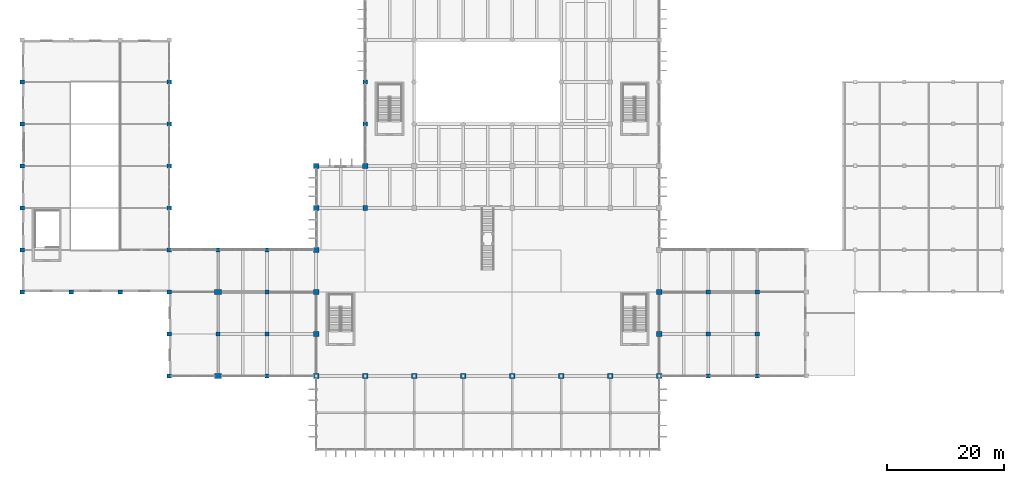
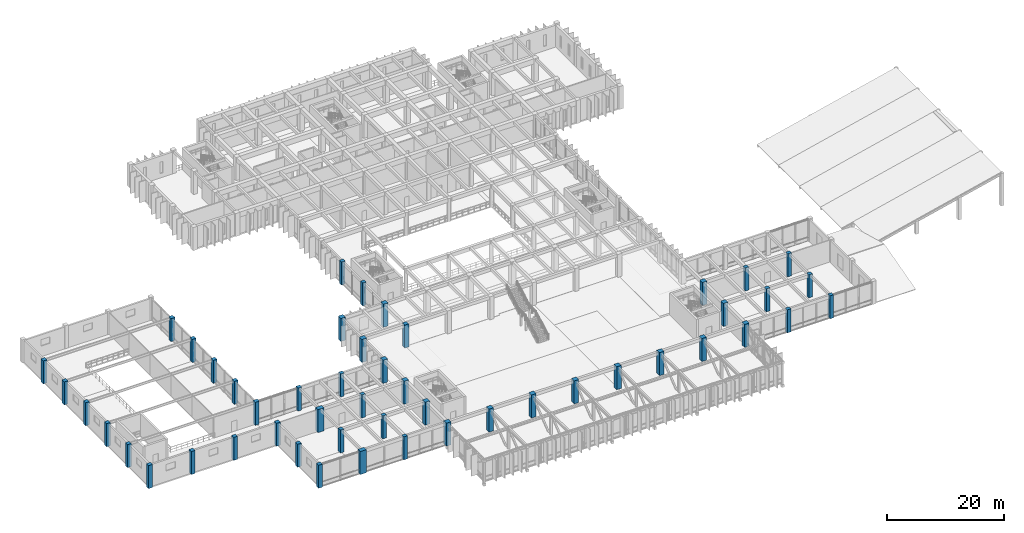
# One storey, part 1 of 51: 49 columns.
"""IFC4 building model written with IfcOpenShell, lengths in metres."""

from ifc_helpers import new_model, si_unit, direction, frame, origin, origin_2d, place, context, subcontext, project, spatial, rectangle, extrude, material, material_profile, profile_set, type_object, element, save


model = new_model("IFC4")

# Units and contexts
model_context = context("Model", 3, precision=1e-05, world=origin(), true_north=direction((0.0, 1.0)))
body_context = subcontext(model_context, "Body", "Model", "MODEL_VIEW")
ifc_project = project(units=[si_unit("LENGTHUNIT", "METRE"), si_unit("AREAUNIT", "SQUARE_METRE"), si_unit("VOLUMEUNIT", "CUBIC_METRE"), si_unit("PLANEANGLEUNIT", "RADIAN"), si_unit("MASSUNIT", "GRAM", prefix="KILO")], contexts=[model_context])

# Site, building, storey
site_placement = place(None, origin())
site = spatial("IfcSite", under=ifc_project, at=site_placement, CompositionType="ELEMENT")
building_placement = place(site_placement, origin())
building = spatial("IfcBuilding", under=site, at=building_placement, Name="Kenerak Square Central Library", CompositionType="ELEMENT")
storey_placement = place(building_placement, frame((0.0, 0.0, 9.60009765625)))
storey = spatial("IfcBuildingStorey", under=building, at=storey_placement, Name="L02", CompositionType="ELEMENT", Elevation=9.60009765625)

# Columns
ifc_material_1 = material(Name="Concrete C45/55", Category="concrete")
ifc_material_profile_1 = material_profile(ifc_material_1, rectangle(XDim=0.89990234375, YDim=0.89990234375, at=origin_2d()), Name="RC 900x900")
ifc_profile_set_1 = profile_set([ifc_material_profile_1], Name="Concrete C45/55")
column_type_1 = type_object("IfcColumnType", Name="Column C-02 RC 900x900 C45/55", PredefinedType="COLUMN", material=ifc_profile_set_1)
for number, where, z_axis, x_axis, name in (
    (1, (58.39990234375, 16.800048828125, 0.0), (0.0, 0.0, 1.0), (1.0, 0.0, 0.0), "Column C-02 L02 7/C"),
    (2, (58.39990234375, 24.0, 0.0), (0.0, 0.0, 1.0), (1.0, 0.0, 0.0), "Column C-02 L02 7/D"),
    (3, (58.39990234375, 31.199951171875, 0.0), (0.0, 0.0, 1.0), (1.0, 0.0, 0.0), "Column C-02 L02 7/E"),
    (4, (58.39990234375, 38.39990234375, 0.0), (0.0, 0.0, 1.0), (1.0, 0.0, 0.0), "Column C-02 L02 7/F"),
    (5, (58.39990234375, 45.60009765625, 0.0), (0.0, 0.0, 1.0), (1.0, 0.0, 0.0), "Column C-02 L02 7/G"),
    (6, (58.39990234375, 52.800048828125, 0.0), (0.0, 0.0, 1.0), (1.0, 0.0, 0.0), "Column C-02 L02 7/H"),
    (7, (66.800048828125, 16.800048828125, 0.0), (0.0, 0.0, 1.0), (1.0, 0.0, 0.0), "Column C-02 L02 8/C"),
    (8, (66.800048828125, 52.800048828125, 0.0), (0.0, 0.0, 1.0), (1.0, 0.0, 0.0), "Column C-02 L02 8/H"),
    (9, (75.199951171875, 16.800048828125, 0.0), (0.0, 0.0, 1.0), (1.0, 0.0, 0.0), "Column C-02 L02 9/C"),
    (10, (83.60009765625, 16.800048828125, 0.0), (0.0, 0.0, 1.0), (1.0, 0.0, 0.0), "Column C-02 L02 10/C"),
    (11, (92.0, 16.800048828125, 0.0), (0.0, 0.0, 1.0), (1.0, 0.0, 0.0), "Column C-02 L02 11/C"),
    (12, (100.39990234375, 16.800048828125, 0.0), (0.0, 0.0, 1.0), (1.0, 0.0, 0.0), "Column C-02 L02 12/C"),
    (13, (108.800048828125, 16.800048828125, 0.0), (0.0, 0.0, 1.0), (1.0, 0.0, 0.0), "Column C-02 L02 13/C"),
    (14, (117.199951171875, 16.800048828125, 0.0), (0.0, 0.0, 1.0), (1.0, 0.0, 0.0), "Column C-02 L02 14/C"),
    (15, (117.199951171875, 24.0, 0.0), (0.0, 0.0, 1.0), (1.0, 0.0, 0.0), "Column C-02 L02 14/D"),
    (16, (117.199951171875, 31.199951171875, 0.0), (0.0, 0.0, 1.0), (1.0, 0.0, 0.0), "Column C-02 L02 14/E"),
):
    element("IfcColumn", number, at=place(storey_placement, frame(where, z_axis=z_axis, x_axis=x_axis)), inside=storey, type_object=column_type_1, Name=name, PredefinedType="COLUMN", context=body_context, shape_type="SweptSolid", body=[
        extrude(rectangle(XDim=0.89990234375, YDim=0.89990234375, at=origin_2d()), origin(), (0.0, 0.0, 1.0), 4.7998046875),
    ])
ifc_material_profile_2 = material_profile(ifc_material_1, rectangle(XDim=0.800048828125, YDim=0.800048828125, at=origin_2d()), Name="RC 800x800")
ifc_profile_set_2 = profile_set([ifc_material_profile_2], Name="Concrete C45/55")
column_type_2 = type_object("IfcColumnType", Name="Column C-04 RC 800x800 C45/55", PredefinedType="COLUMN", material=ifc_profile_set_2)
column_placement = place(storey_placement, frame((66.800048828125, 45.60009765625, 0.0), z_axis=(0.0, 0.0, 1.0), x_axis=(1.0, 0.0, 0.0)))
element("IfcColumn", 17, at=column_placement, inside=storey, type_object=column_type_2, Name="Column C-04 L02 8/G", PredefinedType="COLUMN", context=body_context, shape_type="SweptSolid", body=[
    extrude(rectangle(XDim=0.800048828125, YDim=0.800048828125, at=origin_2d()), origin(), (0.0, 0.0, 1.0), 4.7998046875),
])
ifc_material_2 = material(Name="Concrete C40/50", Category="concrete")
ifc_material_profile_3 = material_profile(ifc_material_2, rectangle(XDim=0.75, YDim=0.75, at=origin_2d()), Name="RC 750x750")
ifc_profile_set_3 = profile_set([ifc_material_profile_3], Name="Concrete C40/50")
column_type_3 = type_object("IfcColumnType", Name="Column C-05 RC 750x750 C40/50", PredefinedType="COLUMN", material=ifc_profile_set_3)
for number, where, z_axis, x_axis, name in (
    (18, (8.0, 31.199951171875, 0.0), (0.0, 0.0, 1.0), (1.0, 0.0, 0.0), "Column C-05 L02 1/E"),
    (19, (8.0, 38.39990234375, 0.0), (0.0, 0.0, 1.0), (1.0, 0.0, 0.0), "Column C-05 L02 1/F"),
    (20, (8.0, 45.60009765625, 0.0), (0.0, 0.0, 1.0), (1.0, 0.0, 0.0), "Column C-05 L02 1/G"),
    (21, (8.0, 52.800048828125, 0.0), (0.0, 0.0, 1.0), (1.0, 0.0, 0.0), "Column C-05 L02 1/H"),
    (22, (8.0, 60.0, 0.0), (0.0, 0.0, 1.0), (1.0, 0.0, 0.0), "Column C-05 L02 1/J"),
    (23, (8.0, 67.199951171875, 0.0), (0.0, 0.0, 1.0), (1.0, 0.0, 0.0), "Column C-05 L02 1/K"),
    (24, (16.39990234375, 31.199951171875, 0.0), (0.0, 0.0, 1.0), (1.0, 0.0, 0.0), "Column C-05 L02 2/E"),
    (25, (24.800048828125, 31.199951171875, 0.0), (0.0, 0.0, 1.0), (1.0, 0.0, 0.0), "Column C-05 L02 3/E"),
    (26, (33.199951171875, 16.800048828125, 0.0), (0.0, 0.0, 1.0), (1.0, 0.0, 0.0), "Column C-05 L02 4/C"),
    (27, (33.199951171875, 24.0, 0.0), (0.0, 0.0, 1.0), (1.0, 0.0, 0.0), "Column C-05 L02 4/D"),
    (28, (33.199951171875, 31.199951171875, 0.0), (0.0, 0.0, 1.0), (1.0, 0.0, 0.0), "Column C-05 L02 4/E"),
    (29, (33.199951171875, 38.39990234375, 0.0), (0.0, 0.0, 1.0), (1.0, 0.0, 0.0), "Column C-05 L02 4/F"),
    (30, (33.199951171875, 45.60009765625, 0.0), (0.0, 0.0, 1.0), (1.0, 0.0, 0.0), "Column C-05 L02 4/G"),
    (31, (33.199951171875, 52.800048828125, 0.0), (0.0, 0.0, 1.0), (1.0, 0.0, 0.0), "Column C-05 L02 4/H"),
    (32, (33.199951171875, 60.0, 0.0), (0.0, 0.0, 1.0), (1.0, 0.0, 0.0), "Column C-05 L02 4/J"),
    (33, (33.199951171875, 67.199951171875, 0.0), (0.0, 0.0, 1.0), (1.0, 0.0, 0.0), "Column C-05 L02 4/K"),
):
    element("IfcColumn", number, at=place(storey_placement, frame(where, z_axis=z_axis, x_axis=x_axis)), inside=storey, type_object=column_type_3, Name=name, PredefinedType="COLUMN", context=body_context, shape_type="SweptSolid", body=[
        extrude(rectangle(XDim=0.75, YDim=0.75, at=origin_2d()), origin(), (0.0, 0.0, 1.0), 4.7998046875),
    ])
ifc_material_profile_4 = material_profile(ifc_material_2, rectangle(XDim=0.699951171875, YDim=0.699951171875, at=origin_2d()), Name="RC 700x700")
ifc_profile_set_4 = profile_set([ifc_material_profile_4], Name="Concrete C40/50")
column_type_4 = type_object("IfcColumnType", Name="Column C-06 RC 700x700 C40/50", PredefinedType="COLUMN", material=ifc_profile_set_4)
for number, where, z_axis, x_axis, name in (
    (34, (41.60009765625, 24.0, 0.0), (0.0, 0.0, 1.0), (1.0, 0.0, 0.0), "Column C-06 L02 5/D"),
    (35, (41.60009765625, 38.39990234375, 0.0), (0.0, 0.0, 1.0), (1.0, 0.0, 0.0), "Column C-06 L02 5/F"),
    (36, (50.0, 16.800048828125, 0.0), (0.0, 0.0, 1.0), (1.0, 0.0, 0.0), "Column C-06 L02 6/C"),
    (37, (50.0, 24.0, 0.0), (0.0, 0.0, 1.0), (1.0, 0.0, 0.0), "Column C-06 L02 6/D"),
    (38, (50.0, 31.199951171875, 0.0), (0.0, 0.0, 1.0), (1.0, 0.0, 0.0), "Column C-06 L02 6/E"),
    (39, (50.0, 38.39990234375, 0.0), (0.0, 0.0, 1.0), (1.0, 0.0, 0.0), "Column C-06 L02 6/F"),
    (40, (66.800048828125, 60.0, 0.0), (0.0, 0.0, 1.0), (1.0, 0.0, 0.0), "Column C-06 L02 8/J"),
    (41, (66.800048828125, 67.199951171875, 0.0), (0.0, 0.0, 1.0), (1.0, 0.0, 0.0), "Column C-06 L02 8/K"),
    (42, (125.60009765625, 16.800048828125, 0.0), (0.0, 0.0, 1.0), (1.0, 0.0, 0.0), "Column C-06 L02 15/C"),
    (43, (125.60009765625, 24.0, 0.0), (0.0, 0.0, 1.0), (1.0, 0.0, 0.0), "Column C-06 L02 15/D"),
    (44, (125.60009765625, 31.199951171875, 0.0), (0.0, 0.0, 1.0), (1.0, 0.0, 0.0), "Column C-06 L02 15/E"),
    (45, (134.0, 16.800048828125, 0.0), (0.0, 0.0, 1.0), (1.0, 0.0, 0.0), "Column C-06 L02 16/C"),
    (46, (134.0, 24.0, 0.0), (0.0, 0.0, 1.0), (1.0, 0.0, 0.0), "Column C-06 L02 16/D"),
    (47, (134.0, 31.199951171875, 0.0), (0.0, 0.0, 1.0), (1.0, 0.0, 0.0), "Column C-06 L02 16/E"),
):
    element("IfcColumn", number, at=place(storey_placement, frame(where, z_axis=z_axis, x_axis=x_axis)), inside=storey, type_object=column_type_4, Name=name, PredefinedType="COLUMN", context=body_context, shape_type="SweptSolid", body=[
        extrude(rectangle(XDim=0.699951171875, YDim=0.699951171875, at=origin_2d()), origin(), (0.0, 0.0, 1.0), 4.7998046875),
    ])
ifc_material_profile_5 = material_profile(ifc_material_1, rectangle(XDim=1.199951171875, YDim=0.800048828125, at=origin_2d()), Name="RC 1200x800")
ifc_profile_set_5 = profile_set([ifc_material_profile_5], Name="Concrete C45/55")
column_type_5 = type_object("IfcColumnType", Name="Column C-10 RC 1200x800 C45/55", PredefinedType="COLUMN", material=ifc_profile_set_5)
for number, where, z_axis, x_axis, name in (
    (48, (41.60009765625, 16.800048828125, 0.0), (0.0, 0.0, 1.0), (1.0, 0.0, 0.0), "Column C-10 L02 5/C"),
    (49, (41.60009765625, 31.199951171875, 0.0), (0.0, 0.0, 1.0), (1.0, 0.0, 0.0), "Column C-10 L02 5/E"),
):
    element("IfcColumn", number, at=place(storey_placement, frame(where, z_axis=z_axis, x_axis=x_axis)), inside=storey, type_object=column_type_5, Name=name, PredefinedType="COLUMN", context=body_context, shape_type="SweptSolid", body=[
        extrude(rectangle(XDim=1.199951171875, YDim=0.800048828125, at=origin_2d()), origin(), (0.0, 0.0, 1.0), 4.7998046875),
    ])

save(model, "model.ifc")
